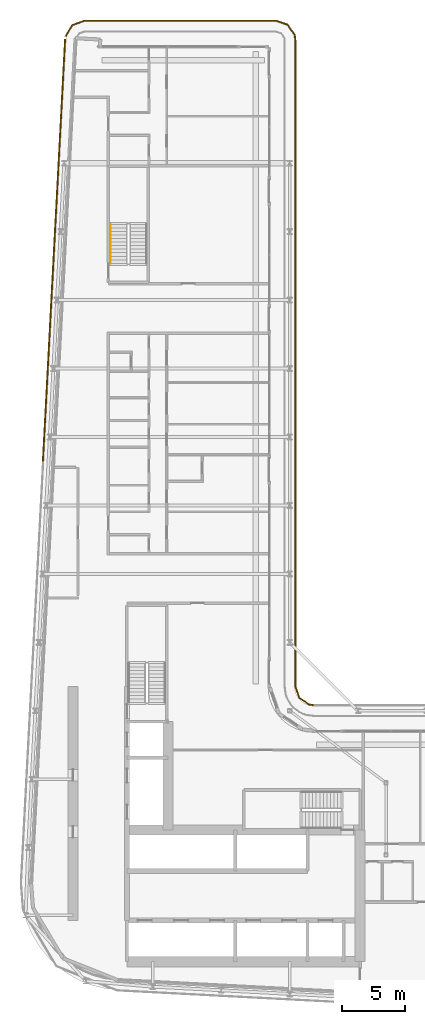
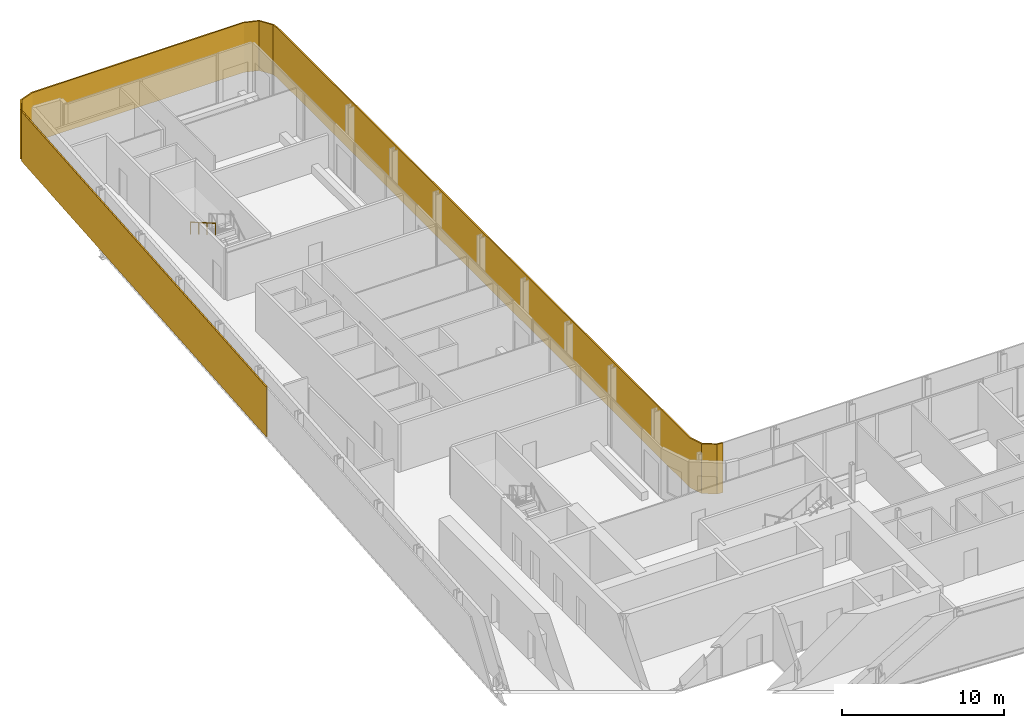
# One storey, part 22 of 24: 2 shading devices, 1 railing.
"""IFC4 building model written with IfcOpenShell, lengths in metres."""

from ifc_helpers import new_model, si_unit, direction, frame, origin, origin_2d, place, context, subcontext, project, spatial, polyline, rectangle, circle, outline, extrude, material, layer, layer_set, type_object, element, save


model = new_model("IFC4")

# Units and contexts
model_context = context("Model", 3, precision=1e-05, world=origin(), true_north=direction((0.0, 1.0)))
body_context = subcontext(model_context, "Body", "Model", "MODEL_VIEW")
ifc_project = project(units=[si_unit("LENGTHUNIT", "METRE"), si_unit("AREAUNIT", "SQUARE_METRE"), si_unit("VOLUMEUNIT", "CUBIC_METRE"), si_unit("PLANEANGLEUNIT", "RADIAN"), si_unit("MASSUNIT", "GRAM", prefix="KILO")], contexts=[model_context])

# Site, building, storey
site_placement = place(None, origin())
site = spatial("IfcSite", under=ifc_project, at=site_placement, CompositionType="ELEMENT")
building_placement = place(site_placement, origin())
building = spatial("IfcBuilding", under=site, at=building_placement, Name="Kheshtan School and Residences Tower", CompositionType="ELEMENT")
storey_placement = place(building_placement, frame((0.0, 0.0, 160.39990234375)))
storey = spatial("IfcBuildingStorey", under=building, at=storey_placement, Name="L37", CompositionType="ELEMENT", Elevation=160.39990234375)

# Shading devices
ifc_material_1 = material(Name="Terracotta baguette, extruded ceramic", Category="masonry")
ifc_layer_1 = layer(ifc_material_1, 0.10009765625)
ifc_layer_set_1 = layer_set([ifc_layer_1], Name="Ledge screen, terracotta baguettes")
shading_device_type_1 = type_object("IfcShadingDeviceType", Name="Ledge screen, terracotta baguettes", PredefinedType="USERDEFINED", material=ifc_layer_set_1)
shading_device_1_placement = place(storey_placement, frame((28.9990234375, 81.93408203125, 0.0), z_axis=(0.0, 0.0, 1.0), x_axis=(0.052562536748, 0.998617634398, 0.0)))
element("IfcShadingDevice", 1, at=shading_device_1_placement, inside=storey, type_object=shading_device_type_1, Name="Screen L37 5", ObjectType="BAGUETTE", PredefinedType="USERDEFINED", context=body_context, shape_type="SweptSolid", body=[
    extrude(rectangle(XDim=33.341064453125, YDim=0.10009765625, at=origin_2d()), origin(), (0.0, 0.0, 1.0), 3.75),
])
ifc_material_2 = material(Name="Terracotta lattice, extruded ceramic", Category="masonry")
ifc_layer_2 = layer(ifc_material_2, 0.10009765625)
ifc_layer_set_2 = layer_set([ifc_layer_2], Name="Loggia screen, terracotta lattice")
shading_device_type_2 = type_object("IfcShadingDeviceType", Name="Loggia screen, terracotta lattice", PredefinedType="USERDEFINED", material=ifc_layer_set_2)
shading_device_2_placement = place(storey_placement, origin())
element("IfcShadingDevice", 2, at=shading_device_2_placement, inside=storey, type_object=shading_device_type_2, Name="Screen L37 1", ObjectType="SCREEN", PredefinedType="USERDEFINED", context=body_context, shape_type="SweptSolid", body=[
    extrude(outline(polyline([(29.949951171875, 98.783935546875), (30.468017578125, 99.656982421875), (31.423095703125, 100.0), (46.5, 100.0), (47.4130859375, 99.68994140625), (47.948974609375, 98.887939453125), (48.0, 98.5), (48.0, 47.5), (48.31005859375, 46.5869140625), (49.112060546875, 46.051025390625), (49.5, 46.0), (49.512939453125, 46.09912109375), (49.14794921875, 46.14697265625), (48.39404296875, 46.65087890625), (48.10009765625, 47.51708984375), (48.10009765625, 98.507080078125), (48.044921875, 98.924072265625), (47.47705078125, 99.77392578125), (46.51708984375, 100.10009765625), (31.406005859375, 100.10009765625), (30.39990234375, 99.739013671875), (29.864013671875, 98.8349609375), (29.949951171875, 98.783935546875)])), origin(), (0.0, 0.0, 1.0), 3.75),
])

# Railing
ifc_material_3 = material(Name="Stainless steel handrail", Category="steel")
railing_type = type_object("IfcRailingType", Name="Stair handrail 900", PredefinedType="HANDRAIL", material=ifc_material_3)
railing_placement = place(storey_placement, frame((33.449951171875, 83.97998046875, 2.112548828125)))
element("IfcRailing", 3, at=railing_placement, inside=storey, type_object=railing_type, Name="L37 ST3 stair handrail 2", PredefinedType="HANDRAIL", context=body_context, shape_type="SweptSolid", body=[
    extrude(circle(Radius=0.02392578125, at=origin_2d()), frame((0.0, 0.0, 0.8759765625), z_axis=(0.0, -0.864890721111, 0.501960198159), x_axis=(1.0, 0.0, 0.0)), (0.0, 0.0, 1.0), 3.561279296875),
    extrude(circle(Radius=0.02099609375, at=origin_2d()), origin(), (0.0, 0.0, 1.0), 0.851806640625),
    extrude(circle(Radius=0.02099609375, at=origin_2d()), frame((0.0, -1.026611328125, 0.595947265625)), (0.0, 0.0, 1.0), 0.851806640625),
    extrude(circle(Radius=0.02099609375, at=origin_2d()), frame((0.0, -2.053466796875, 1.191650390625)), (0.0, 0.0, 1.0), 0.851806640625),
    extrude(circle(Radius=0.02099609375, at=origin_2d()), frame((0.0, -3.080078125, 1.78759765625)), (0.0, 0.0, 1.0), 0.851806640625),
])

save(model, "model.ifc")
